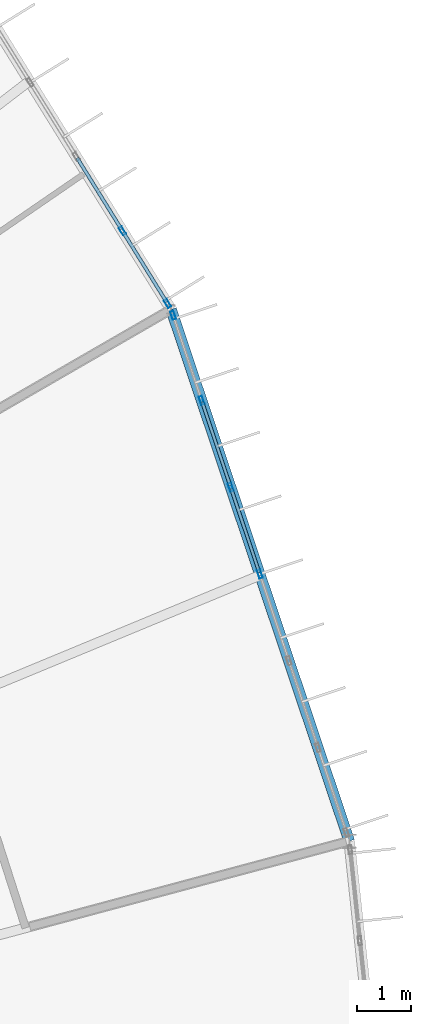
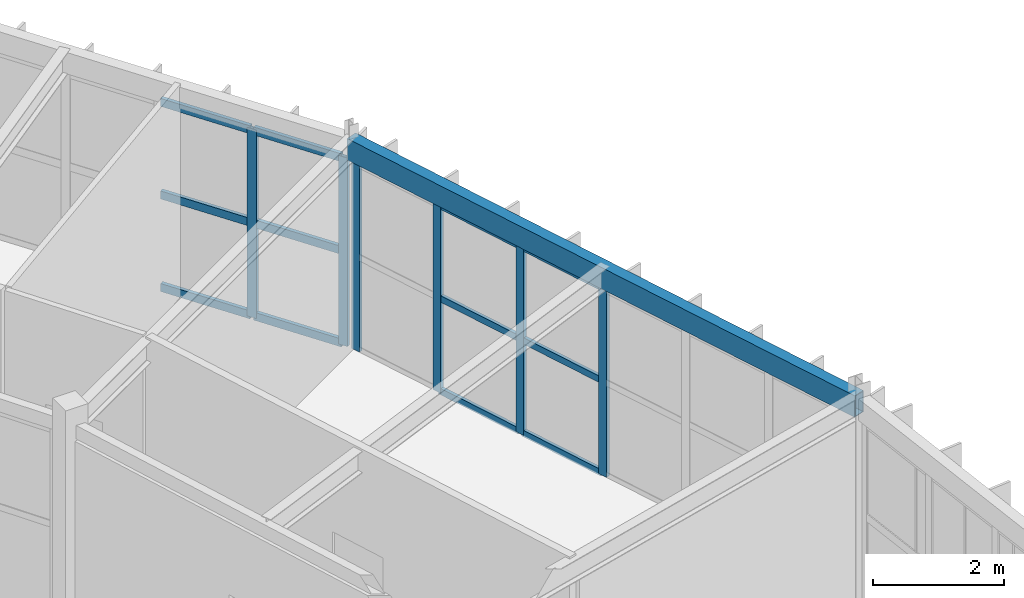
# One storey, part 35 of 66: 18 members, 1 beam, 2 elements without a shape of their own.
"""IFC4 building model written with IfcOpenShell, lengths in metres."""

import ifcopenshell
import ifcopenshell.guid

model = None  # the IFC model being written
_history = None  # IfcOwnerHistory: only IFC2X3 demands one
_inside = {}  # id of a spatial element -> (the spatial element, [elements in it])
_under = {}  # id of a project, library or spatial element -> (it, [spatial elements below it])
_declared = {}  # id of a project -> (the project, [libraries it declares])
_typed = {}  # id of a type object -> (the type object, [elements of that type])
_made_of = {}  # id of a material, layer set ... -> (it, [elements and type objects made of it])


def new_model(schema):
    """Start an empty IFC model of exactly this schema.

    Asked for "IFC4X3", IfcOpenShell would pick the latest addendum, in which some entities
    have other attributes; the version numbers below select the first issue.
    IFC2X3 requires an IfcOwnerHistory on every rooted entity: one is made here for all.
    """
    global model, _history
    if schema == "IFC4X3":
        model = ifcopenshell.file(schema_version=(4, 3, 0, 0))
    else:
        model = ifcopenshell.file(schema=schema)
    _inside.clear()
    _under.clear()
    _declared.clear()
    _typed.clear()
    _made_of.clear()
    _history = None
    if model.schema == "IFC2X3":
        org = make("IfcOrganization", Name="unknown")
        user = make(
            "IfcPersonAndOrganization",
            ThePerson=make("IfcPerson", FamilyName="unknown"),
            TheOrganization=org,
        )
        app = make(
            "IfcApplication",
            ApplicationDeveloper=org,
            Version="unknown",
            ApplicationFullName="unknown",
            ApplicationIdentifier="unknown",
        )
        _history = make(
            "IfcOwnerHistory",
            OwningUser=user,
            OwningApplication=app,
            ChangeAction="ADDED",
            CreationDate=0,
        )
    return model


def make(cls, **values):
    """One entity of the class cls with the attributes given. An attribute that is None is left unset."""
    return model.create_entity(
        cls, **{name: value for name, value in values.items() if value is not None}
    )


def rooted(cls, **values):
    """An entity with a GlobalId (a new one), such as an element, a storey or a relation."""
    return make(cls, GlobalId=ifcopenshell.guid.new(), OwnerHistory=_history, **values)


def si_unit(unit_type, name, prefix=None):
    """IfcSIUnit, for example si_unit("LENGTHUNIT", "METRE", prefix="MILLI")."""
    return make("IfcSIUnit", UnitType=unit_type, Prefix=prefix, Name=name)


def assignment(units):
    """IfcUnitAssignment: the units of a project."""
    return None if units is None else make("IfcUnitAssignment", Units=units)


def point(xyz):
    """IfcCartesianPoint."""
    return None if xyz is None else make("IfcCartesianPoint", Coordinates=xyz)


def direction(xyz):
    """IfcDirection."""
    return None if xyz is None else make("IfcDirection", DirectionRatios=xyz)


def frame(location, z_axis=None, x_axis=None):
    """IfcAxis2Placement3D, a coordinate frame: its origin and axes. An axis left out is left unset."""
    return make(
        "IfcAxis2Placement3D",
        Location=point(location),
        Axis=direction(z_axis),
        RefDirection=direction(x_axis),
    )


def frame_2d(location, x_axis=None):
    """IfcAxis2Placement2D, a coordinate frame in the plane: its origin and x axis."""
    return make(
        "IfcAxis2Placement2D", Location=point(location), RefDirection=direction(x_axis)
    )


def origin():
    """The frame at (0, 0, 0) with its axes left unset."""
    return frame((0.0, 0.0, 0.0))


def origin_2d():
    """The frame at (0, 0) in the plane with its x axis left unset."""
    return frame_2d((0.0, 0.0))


def place(relative_to, where):
    """IfcLocalPlacement: puts the frame where relative to a parent placement (None: the world)."""
    return make(
        "IfcLocalPlacement", PlacementRelTo=relative_to, RelativePlacement=where
    )


def context(
    kind, dimensions, precision=None, world=None, true_north=None, identifier=None
):
    """IfcGeometricRepresentationContext, for example the 3D "Model" context."""
    return make(
        "IfcGeometricRepresentationContext",
        ContextIdentifier=identifier,
        ContextType=kind,
        CoordinateSpaceDimension=dimensions,
        Precision=precision,
        WorldCoordinateSystem=world,
        TrueNorth=true_north,
    )


def subcontext(parent, identifier, kind, view, scale=None):
    """IfcGeometricRepresentationSubContext, for example "Body" below "Model"."""
    return make(
        "IfcGeometricRepresentationSubContext",
        ContextIdentifier=identifier,
        ContextType=kind,
        ParentContext=parent,
        TargetScale=scale,
        TargetView=view,
    )


def project(units=None, contexts=None):
    """IfcProject with its units and contexts."""
    return rooted(
        "IfcProject",
        Name="project",
        RepresentationContexts=contexts,
        UnitsInContext=assignment(units),
    )


def spatial(cls, under=None, at=None, **own):
    """A site, building, storey or space (cls), placed at a placement, below another one or the project."""
    s = rooted(cls, ObjectPlacement=at, **own)
    if under is not None:
        _under.setdefault(under.id(), (under, []))[1].append(s)
    return s


def profile(cls, at=None, kind="AREA", **sizes):
    """A parametric profile (cls). Its sizes go by their IFC names, for example OverallWidth=200.0."""
    return make(cls, ProfileType=kind, Position=at, **sizes)


def hollow_rectangle(**sizes):
    """IfcRectangleHollowProfileDef."""
    return profile("IfcRectangleHollowProfileDef", **sizes)


def extrude(swept, where, along, depth):
    """IfcExtrudedAreaSolid: the profile swept, set in the frame where, extruded along a direction by depth."""
    return make(
        "IfcExtrudedAreaSolid",
        SweptArea=swept,
        Position=where,
        ExtrudedDirection=direction(along),
        Depth=depth,
    )


def shape(context_of_items, identifier, shape_type, items):
    """IfcShapeRepresentation: the items that make up one representation, for example the "Body"."""
    return make(
        "IfcShapeRepresentation",
        ContextOfItems=context_of_items,
        RepresentationIdentifier=identifier,
        RepresentationType=shape_type,
        Items=items,
    )


def material(Name=None, Category=None):
    """IfcMaterial."""
    return make("IfcMaterial", Name=Name, Category=Category)


def material_profile(
    of_material, cross_section, Name=None, Category=None, Priority=None
):
    """IfcMaterialProfile: a cross section and its material."""
    return make(
        "IfcMaterialProfile",
        Name=Name,
        Material=of_material,
        Profile=cross_section,
        Priority=Priority,
        Category=Category,
    )


def profile_set(profiles, Name=None, composite=None):
    """IfcMaterialProfileSet."""
    return make(
        "IfcMaterialProfileSet",
        Name=Name,
        MaterialProfiles=profiles,
        CompositeProfile=composite,
    )


def made_of(thing, what):
    """Note that an element or type object is made of a material, layer set ...; save() writes the relation."""
    if what is not None:
        _made_of.setdefault(what.id(), (what, []))[1].append(thing)
    return thing


def type_object(cls, material=None, **own):
    """A type object (cls), such as IfcWallType, which elements share."""
    return made_of(rooted(cls, **own), material)


def element(
    cls,
    number,
    at=None,
    inside=None,
    cuts=None,
    type_object=None,
    material=None,
    context=None,
    identifier="Body",
    shape_type=None,
    held_by="IfcProductDefinitionShape",
    body=None,
    shapes=None,
    **own,
):
    """One element of the class cls, such as IfcWall. Its Tag is "e" and its number.

    at: its placement. inside: the storey or other place that contains it. cuts: it is an
    opening in that element (IfcRelVoidsElement). A single representation is given by context,
    identifier, shape_type and body (its items); several are given by shapes. held_by: the class
    of the entity that holds the representations. save() writes the other relations.
    """
    e = rooted(cls, Tag="e%d" % number, ObjectPlacement=at, **own)
    if body is not None:
        shapes = [shape(context, identifier, shape_type, body)]
    if shapes is not None:
        e.Representation = make(held_by, Representations=shapes)
    if inside is not None:
        _inside.setdefault(inside.id(), (inside, []))[1].append(e)
    if cuts is not None:
        rooted(
            "IfcRelVoidsElement", RelatingBuildingElement=cuts, RelatedOpeningElement=e
        )
    if type_object is not None:
        _typed.setdefault(type_object.id(), (type_object, []))[1].append(e)
    return made_of(e, material)


def aggregate(whole, parts):
    """IfcRelAggregates: a whole, such as a stair, and the parts it consists of."""
    return rooted("IfcRelAggregates", RelatingObject=whole, RelatedObjects=parts)


def save(model, path):
    """Write the relations noted so far, then the file.

    IfcRelAggregates (storeys below a building ...), IfcRelContainedInSpatialStructure (elements
    in a storey), IfcRelDefinesByType, IfcRelAssociatesMaterial and IfcRelDeclares: one each for
    every whole, place, type object, material and project.
    """
    for whole, parts in _under.values():
        aggregate(whole, parts)
    for where, things in _inside.values():
        rooted(
            "IfcRelContainedInSpatialStructure",
            RelatedElements=things,
            RelatingStructure=where,
        )
    for kind, things in _typed.values():
        rooted("IfcRelDefinesByType", RelatedObjects=things, RelatingType=kind)
    for what, things in _made_of.values():
        rooted("IfcRelAssociatesMaterial", RelatedObjects=things, RelatingMaterial=what)
    for by, libraries in _declared.values():
        rooted("IfcRelDeclares", RelatingContext=by, RelatedDefinitions=libraries)
    model.write(path)


model = new_model("IFC4")

# Units and contexts
model_context = context("Model", 3, precision=1e-05, world=origin(), true_north=direction((0.0, 1.0)))
body_context = subcontext(model_context, "Body", "Model", "MODEL_VIEW")
ifc_project = project(units=[si_unit("LENGTHUNIT", "METRE"), si_unit("AREAUNIT", "SQUARE_METRE"), si_unit("VOLUMEUNIT", "CUBIC_METRE"), si_unit("PLANEANGLEUNIT", "RADIAN"), si_unit("MASSUNIT", "GRAM", prefix="KILO")], contexts=[model_context])

# Site, building, storey
site_placement = place(None, origin())
site = spatial("IfcSite", under=ifc_project, at=site_placement, CompositionType="ELEMENT")
building_placement = place(site_placement, origin())
building = spatial("IfcBuilding", under=site, at=building_placement, Name="Karori Crest Natural Sciences Institute", CompositionType="ELEMENT")
storey_placement = place(building_placement, frame((0.0, 0.0, 30.10009765625)))
storey = spatial("IfcBuildingStorey", under=building, at=storey_placement, Name="L07", CompositionType="ELEMENT", Elevation=30.10009765625)

# Beam
ifc_material_1 = material(Name="Hollow structural steel AS/NZS 1163 Grade C350", Category="steel")
ifc_material_profile_1 = material_profile(ifc_material_1, hollow_rectangle(XDim=0.199951171875, YDim=0.39990234375, WallThickness=0.012451171875, at=origin_2d()), Name="RHS400x200x12.5")
ifc_profile_set_1 = profile_set([ifc_material_profile_1], Name="Hollow structural steel AS/NZS 1163 Grade C350")
beam_type = type_object("IfcBeamType", Name="BT-14", PredefinedType="SPANDREL", material=ifc_profile_set_1)
beam_placement = place(storey_placement, frame((98.275634765625, 60.459716796875, 3.739990234375), z_axis=(-0.317681238028, 0.948197569605, 0.0), x_axis=(-0.948197569605, -0.317681238028, 0.0)))
element("IfcBeam", 1, at=beam_placement, inside=storey, type_object=beam_type, Name="Beam B-0647", PredefinedType="SPANDREL", context=body_context, shape_type="SweptSolid", body=[
    extrude(hollow_rectangle(XDim=0.199951171875, YDim=0.39990234375, WallThickness=0.012451171875, at=origin_2d()), origin(), (0.0, 0.0, 1.0), 10.3779296875),
])

# Curtain wall, members
ifc_material_2 = material(Name="Anodised architectural aluminium 6063-T6", Category="aluminium")
curtain_wall_type_1 = type_object("IfcCurtainWallType", Name="CWT-02", PredefinedType="NOTDEFINED", material=ifc_material_2)
curtain_wall_1_placement = place(storey_placement, origin())
curtain_wall_1 = element("IfcCurtainWall", 2, at=curtain_wall_1_placement, inside=storey, type_object=curtain_wall_type_1, Name="Curtain wall CW-0245", PredefinedType="NOTDEFINED")
ifc_material_profile_2 = material_profile(ifc_material_2, hollow_rectangle(XDim=0.06494140625, YDim=0.159912109375, WallThickness=0.00390625, at=origin_2d()), Name="CWM160x65x4")
ifc_profile_set_2 = profile_set([ifc_material_profile_2], Name="Anodised architectural aluminium 6063-T6")
member_type_1 = type_object("IfcMemberType", Name="CWM-01", PredefinedType="MULLION", material=ifc_profile_set_2)
member_1_placement = place(storey_placement, frame((95.015625, 70.190185546875, 0.0), z_axis=(0.0, 0.0, 1.0), x_axis=(0.94819805026, 0.317679803392, 0.0)))
member_1 = element("IfcMember", 3, at=member_1_placement, type_object=member_type_1, Name="CW-0245 mullion 1", PredefinedType="MULLION", context=body_context, shape_type="SweptSolid", body=[
    extrude(hollow_rectangle(XDim=0.06494140625, YDim=0.159912109375, WallThickness=0.00390625, at=origin_2d()), origin(), (0.0, 0.0, 1.0), 3.52490234375),
])
member_2_placement = place(storey_placement, frame((95.54345703125, 68.614990234375, 0.0), z_axis=(0.0, 0.0, 1.0), x_axis=(0.94819805026, 0.317679803392, 0.0)))
member_2 = element("IfcMember", 4, at=member_2_placement, type_object=member_type_1, Name="CW-0245 mullion 2", PredefinedType="MULLION", context=body_context, shape_type="SweptSolid", body=[
    extrude(hollow_rectangle(XDim=0.06494140625, YDim=0.159912109375, WallThickness=0.00390625, at=origin_2d()), origin(), (0.0, 0.0, 1.0), 3.52490234375),
])
member_3_placement = place(storey_placement, frame((96.08154296875, 67.0087890625, 0.0), z_axis=(0.0, 0.0, 1.0), x_axis=(0.94819805026, 0.317679803392, 0.0)))
member_3 = element("IfcMember", 5, at=member_3_placement, type_object=member_type_1, Name="CW-0245 mullion 3", PredefinedType="MULLION", context=body_context, shape_type="SweptSolid", body=[
    extrude(hollow_rectangle(XDim=0.06494140625, YDim=0.159912109375, WallThickness=0.00390625, at=origin_2d()), origin(), (0.0, 0.0, 1.0), 3.52490234375),
])
member_4_placement = place(storey_placement, frame((96.619384765625, 65.40283203125, 0.0), z_axis=(0.0, 0.0, 1.0), x_axis=(0.94819805026, 0.317679803392, 0.0)))
member_4 = element("IfcMember", 6, at=member_4_placement, type_object=member_type_1, Name="CW-0245 mullion 4", PredefinedType="MULLION", context=body_context, shape_type="SweptSolid", body=[
    extrude(hollow_rectangle(XDim=0.06494140625, YDim=0.159912109375, WallThickness=0.00390625, at=origin_2d()), origin(), (0.0, 0.0, 1.0), 3.52490234375),
])

curtain_wall_type_2 = type_object("IfcCurtainWallType", Name="CWT-03", PredefinedType="NOTDEFINED", material=ifc_material_2)
curtain_wall_2_placement = place(storey_placement, origin())
curtain_wall_2 = element("IfcCurtainWall", 7, at=curtain_wall_2_placement, inside=storey, type_object=curtain_wall_type_2, Name="Curtain wall CW-0246", PredefinedType="NOTDEFINED")
member_5_placement = place(storey_placement, frame((94.076904296875, 71.7529296875, 0.0), z_axis=(0.0, 0.0, 1.0), x_axis=(0.849661985715, 0.527327706489, 0.0)))
member_5 = element("IfcMember", 8, at=member_5_placement, type_object=member_type_1, Name="CW-0246 mullion 6", PredefinedType="MULLION", context=body_context, shape_type="SweptSolid", body=[
    extrude(hollow_rectangle(XDim=0.06494140625, YDim=0.159912109375, WallThickness=0.00390625, at=origin_2d()), origin(), (0.0, 0.0, 1.0), 3.52490234375),
])
member_6_placement = place(storey_placement, frame((94.912353515625, 70.406982421875, 0.0), z_axis=(0.0, 0.0, 1.0), x_axis=(0.849661985715, 0.527327706489, 0.0)))
member_6 = element("IfcMember", 9, at=member_6_placement, type_object=member_type_1, Name="CW-0246 mullion 7", PredefinedType="MULLION", context=body_context, shape_type="SweptSolid", body=[
    extrude(hollow_rectangle(XDim=0.06494140625, YDim=0.159912109375, WallThickness=0.00390625, at=origin_2d()), origin(), (0.0, 0.0, 1.0), 3.52490234375),
])

# Member
ifc_material_profile_3 = material_profile(ifc_material_2, hollow_rectangle(XDim=0.06005859375, YDim=0.1201171875, WallThickness=0.00390625, at=origin_2d()), Name="CWT120x60x4")
ifc_profile_set_3 = profile_set([ifc_material_profile_3], Name="Anodised architectural aluminium 6063-T6")
member_type_2 = type_object("IfcMemberType", Name="CWT-TR1", PredefinedType="USERDEFINED", material=ifc_profile_set_3)
member_7_placement = place(storey_placement, frame((95.5537109375, 68.583984375, 0.02978515625), z_axis=(0.317666571129, -0.948202483432, 0.0), x_axis=(0.948202483432, 0.317666571129, 0.0)))
member_7 = element("IfcMember", 10, at=member_7_placement, type_object=member_type_2, Name="CW-0245 transom 2.1", ObjectType="TRANSOM", PredefinedType="USERDEFINED", context=body_context, shape_type="SweptSolid", body=[
    extrude(hollow_rectangle(XDim=0.06005859375, YDim=0.1201171875, WallThickness=0.00390625, at=origin_2d()), origin(), (0.0, 0.0, 1.0), 1.628662109375),
])

member_8_placement = place(storey_placement, frame((95.5537109375, 68.583984375, 1.762451171875), z_axis=(0.317666571129, -0.948202483432, 0.0), x_axis=(0.948202483432, 0.317666571129, 0.0)))
member_8 = element("IfcMember", 11, at=member_8_placement, type_object=member_type_2, Name="CW-0245 transom 2.2", ObjectType="TRANSOM", PredefinedType="USERDEFINED", context=body_context, shape_type="SweptSolid", body=[
    extrude(hollow_rectangle(XDim=0.06005859375, YDim=0.1201171875, WallThickness=0.00390625, at=origin_2d()), origin(), (0.0, 0.0, 1.0), 1.628662109375),
])

member_9_placement = place(storey_placement, frame((95.5537109375, 68.583984375, 3.494873046875), z_axis=(0.317666571129, -0.948202483432, 0.0), x_axis=(0.948202483432, 0.317666571129, 0.0)))
member_9 = element("IfcMember", 12, at=member_9_placement, type_object=member_type_2, Name="CW-0245 transom 2.3", ObjectType="TRANSOM", PredefinedType="USERDEFINED", context=body_context, shape_type="SweptSolid", body=[
    extrude(hollow_rectangle(XDim=0.06005859375, YDim=0.1201171875, WallThickness=0.00390625, at=origin_2d()), origin(), (0.0, 0.0, 1.0), 1.628662109375),
])

member_10_placement = place(storey_placement, frame((96.091796875, 66.97802734375, 0.02978515625), z_axis=(0.317666571129, -0.948202483432, 0.0), x_axis=(0.948202483432, 0.317666571129, 0.0)))
member_10 = element("IfcMember", 13, at=member_10_placement, type_object=member_type_2, Name="CW-0245 transom 3.1", ObjectType="TRANSOM", PredefinedType="USERDEFINED", context=body_context, shape_type="SweptSolid", body=[
    extrude(hollow_rectangle(XDim=0.06005859375, YDim=0.1201171875, WallThickness=0.00390625, at=origin_2d()), origin(), (0.0, 0.0, 1.0), 1.628662109375),
])

member_11_placement = place(storey_placement, frame((96.091796875, 66.97802734375, 1.762451171875), z_axis=(0.317666571129, -0.948202483432, 0.0), x_axis=(0.948202483432, 0.317666571129, 0.0)))
member_11 = element("IfcMember", 14, at=member_11_placement, type_object=member_type_2, Name="CW-0245 transom 3.2", ObjectType="TRANSOM", PredefinedType="USERDEFINED", context=body_context, shape_type="SweptSolid", body=[
    extrude(hollow_rectangle(XDim=0.06005859375, YDim=0.1201171875, WallThickness=0.00390625, at=origin_2d()), origin(), (0.0, 0.0, 1.0), 1.628662109375),
])

member_12_placement = place(storey_placement, frame((96.091796875, 66.97802734375, 3.494873046875), z_axis=(0.317666571129, -0.948202483432, 0.0), x_axis=(0.948202483432, 0.317666571129, 0.0)))
member_12 = element("IfcMember", 15, at=member_12_placement, type_object=member_type_2, Name="CW-0245 transom 3.3", ObjectType="TRANSOM", PredefinedType="USERDEFINED", context=body_context, shape_type="SweptSolid", body=[
    extrude(hollow_rectangle(XDim=0.06005859375, YDim=0.1201171875, WallThickness=0.00390625, at=origin_2d()), origin(), (0.0, 0.0, 1.0), 1.628662109375),
])

aggregate(curtain_wall_1, [member_1, member_2, member_3, member_4, member_7, member_8, member_9, member_10, member_11, member_12])

ifc_material_profile_4 = material_profile(ifc_material_2, hollow_rectangle(XDim=0.06494140625, YDim=0.14990234375, WallThickness=0.00390625, at=origin_2d()), Name="CWT150x65x4")
ifc_profile_set_4 = profile_set([ifc_material_profile_4], Name="Anodised architectural aluminium 6063-T6")
member_type_3 = type_object("IfcMemberType", Name="CWT-TR2", PredefinedType="USERDEFINED", material=ifc_profile_set_4)
member_13_placement = place(storey_placement, frame((93.241455078125, 73.09912109375, 0.032470703125), z_axis=(0.5273941938, -0.849620717936, 0.0), x_axis=(0.849620717936, 0.5273941938, 0.0)))
member_13 = element("IfcMember", 16, at=member_13_placement, type_object=member_type_3, Name="CW-0246 transom 5.1", ObjectType="TRANSOM", PredefinedType="USERDEFINED", context=body_context, shape_type="SweptSolid", body=[
    extrude(hollow_rectangle(XDim=0.06494140625, YDim=0.14990234375, WallThickness=0.00390625, at=origin_2d()), origin(), (0.0, 0.0, 1.0), 1.5517578125),
])

member_14_placement = place(storey_placement, frame((93.241455078125, 73.09912109375, 1.762451171875), z_axis=(0.5273941938, -0.849620717936, 0.0), x_axis=(0.849620717936, 0.5273941938, 0.0)))
member_14 = element("IfcMember", 17, at=member_14_placement, type_object=member_type_3, Name="CW-0246 transom 5.2", ObjectType="TRANSOM", PredefinedType="USERDEFINED", context=body_context, shape_type="SweptSolid", body=[
    extrude(hollow_rectangle(XDim=0.06494140625, YDim=0.14990234375, WallThickness=0.00390625, at=origin_2d()), origin(), (0.0, 0.0, 1.0), 1.5517578125),
])

member_15_placement = place(storey_placement, frame((93.241455078125, 73.09912109375, 3.492431640625), z_axis=(0.5273941938, -0.849620717936, 0.0), x_axis=(0.849620717936, 0.5273941938, 0.0)))
member_15 = element("IfcMember", 18, at=member_15_placement, type_object=member_type_3, Name="CW-0246 transom 5.3", ObjectType="TRANSOM", PredefinedType="USERDEFINED", context=body_context, shape_type="SweptSolid", body=[
    extrude(hollow_rectangle(XDim=0.06494140625, YDim=0.14990234375, WallThickness=0.00390625, at=origin_2d()), origin(), (0.0, 0.0, 1.0), 1.5517578125),
])

member_16_placement = place(storey_placement, frame((94.09423828125, 71.725341796875, 0.032470703125), z_axis=(0.52729485079, -0.849682376144, 0.0), x_axis=(0.849682376144, 0.52729485079, 0.0)))
member_16 = element("IfcMember", 19, at=member_16_placement, type_object=member_type_3, Name="CW-0246 transom 6.1", ObjectType="TRANSOM", PredefinedType="USERDEFINED", context=body_context, shape_type="SweptSolid", body=[
    extrude(hollow_rectangle(XDim=0.06494140625, YDim=0.14990234375, WallThickness=0.00390625, at=origin_2d()), origin(), (0.0, 0.0, 1.0), 1.51904296875),
])

member_17_placement = place(storey_placement, frame((94.09423828125, 71.725341796875, 1.762451171875), z_axis=(0.52729485079, -0.849682376144, 0.0), x_axis=(0.849682376144, 0.52729485079, 0.0)))
member_17 = element("IfcMember", 20, at=member_17_placement, type_object=member_type_3, Name="CW-0246 transom 6.2", ObjectType="TRANSOM", PredefinedType="USERDEFINED", context=body_context, shape_type="SweptSolid", body=[
    extrude(hollow_rectangle(XDim=0.06494140625, YDim=0.14990234375, WallThickness=0.00390625, at=origin_2d()), origin(), (0.0, 0.0, 1.0), 1.51904296875),
])

member_18_placement = place(storey_placement, frame((94.09423828125, 71.725341796875, 3.492431640625), z_axis=(0.52729485079, -0.849682376144, 0.0), x_axis=(0.849682376144, 0.52729485079, 0.0)))
member_18 = element("IfcMember", 21, at=member_18_placement, type_object=member_type_3, Name="CW-0246 transom 6.3", ObjectType="TRANSOM", PredefinedType="USERDEFINED", context=body_context, shape_type="SweptSolid", body=[
    extrude(hollow_rectangle(XDim=0.06494140625, YDim=0.14990234375, WallThickness=0.00390625, at=origin_2d()), origin(), (0.0, 0.0, 1.0), 1.51904296875),
])

aggregate(curtain_wall_2, [member_5, member_6, member_13, member_14, member_15, member_16, member_17, member_18])

save(model, "model.ifc")
